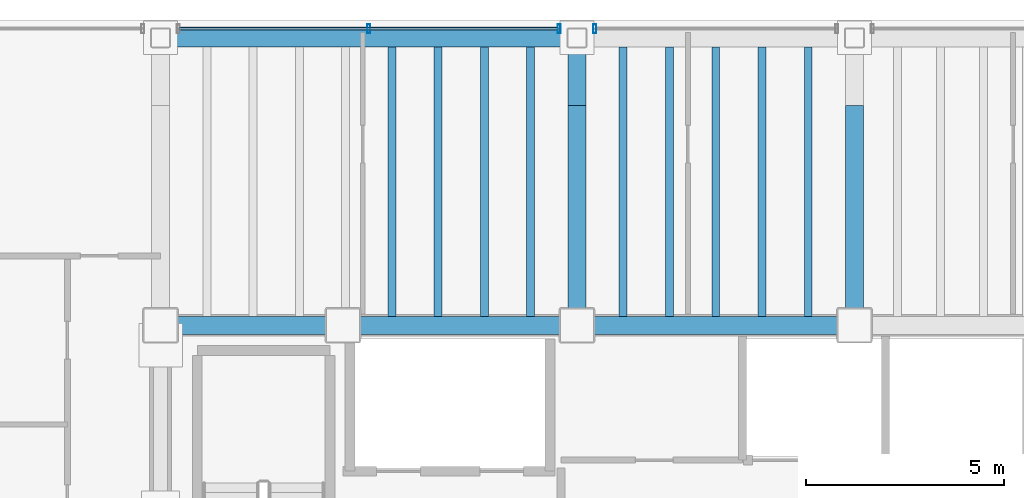
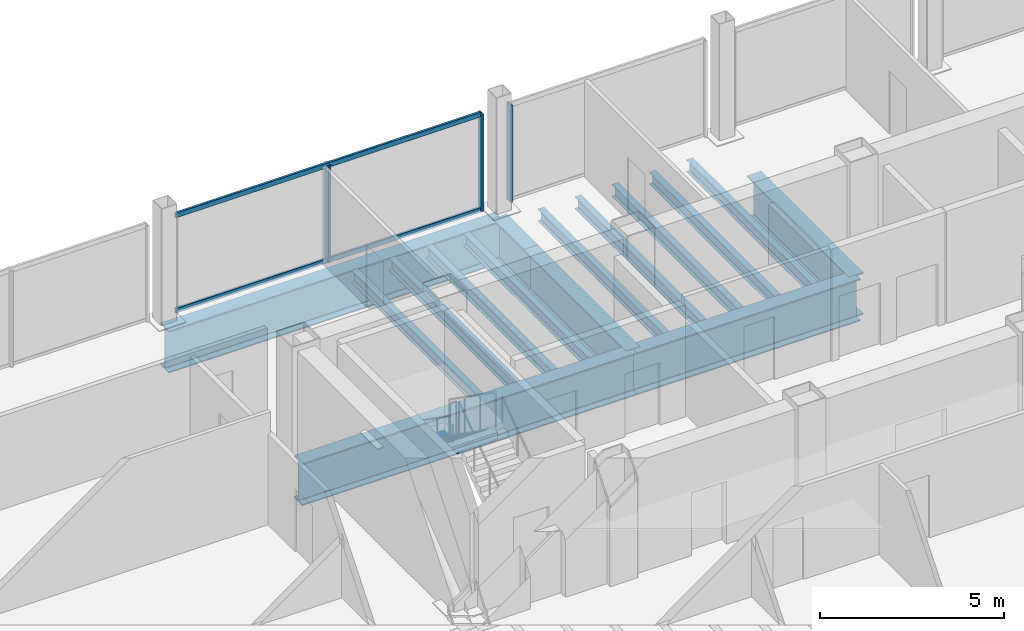
# One storey, part 11 of 24: 15 beams, 5 members, 2 elements without a shape of their own.
"""IFC4 building model written with IfcOpenShell, lengths in metres."""

import ifcopenshell
import ifcopenshell.guid

model = None  # the IFC model being written
_history = None  # IfcOwnerHistory: only IFC2X3 demands one
_inside = {}  # id of a spatial element -> (the spatial element, [elements in it])
_under = {}  # id of a project, library or spatial element -> (it, [spatial elements below it])
_declared = {}  # id of a project -> (the project, [libraries it declares])
_typed = {}  # id of a type object -> (the type object, [elements of that type])
_made_of = {}  # id of a material, layer set ... -> (it, [elements and type objects made of it])


def new_model(schema):
    """Start an empty IFC model of exactly this schema.

    Asked for "IFC4X3", IfcOpenShell would pick the latest addendum, in which some entities
    have other attributes; the version numbers below select the first issue.
    IFC2X3 requires an IfcOwnerHistory on every rooted entity: one is made here for all.
    """
    global model, _history
    if schema == "IFC4X3":
        model = ifcopenshell.file(schema_version=(4, 3, 0, 0))
    else:
        model = ifcopenshell.file(schema=schema)
    _inside.clear()
    _under.clear()
    _declared.clear()
    _typed.clear()
    _made_of.clear()
    _history = None
    if model.schema == "IFC2X3":
        org = make("IfcOrganization", Name="unknown")
        user = make(
            "IfcPersonAndOrganization",
            ThePerson=make("IfcPerson", FamilyName="unknown"),
            TheOrganization=org,
        )
        app = make(
            "IfcApplication",
            ApplicationDeveloper=org,
            Version="unknown",
            ApplicationFullName="unknown",
            ApplicationIdentifier="unknown",
        )
        _history = make(
            "IfcOwnerHistory",
            OwningUser=user,
            OwningApplication=app,
            ChangeAction="ADDED",
            CreationDate=0,
        )
    return model


def make(cls, **values):
    """One entity of the class cls with the attributes given. An attribute that is None is left unset."""
    return model.create_entity(
        cls, **{name: value for name, value in values.items() if value is not None}
    )


def rooted(cls, **values):
    """An entity with a GlobalId (a new one), such as an element, a storey or a relation."""
    return make(cls, GlobalId=ifcopenshell.guid.new(), OwnerHistory=_history, **values)


def si_unit(unit_type, name, prefix=None):
    """IfcSIUnit, for example si_unit("LENGTHUNIT", "METRE", prefix="MILLI")."""
    return make("IfcSIUnit", UnitType=unit_type, Prefix=prefix, Name=name)


def assignment(units):
    """IfcUnitAssignment: the units of a project."""
    return None if units is None else make("IfcUnitAssignment", Units=units)


def point(xyz):
    """IfcCartesianPoint."""
    return None if xyz is None else make("IfcCartesianPoint", Coordinates=xyz)


def direction(xyz):
    """IfcDirection."""
    return None if xyz is None else make("IfcDirection", DirectionRatios=xyz)


def frame(location, z_axis=None, x_axis=None):
    """IfcAxis2Placement3D, a coordinate frame: its origin and axes. An axis left out is left unset."""
    return make(
        "IfcAxis2Placement3D",
        Location=point(location),
        Axis=direction(z_axis),
        RefDirection=direction(x_axis),
    )


def frame_2d(location, x_axis=None):
    """IfcAxis2Placement2D, a coordinate frame in the plane: its origin and x axis."""
    return make(
        "IfcAxis2Placement2D", Location=point(location), RefDirection=direction(x_axis)
    )


def origin():
    """The frame at (0, 0, 0) with its axes left unset."""
    return frame((0.0, 0.0, 0.0))


def origin_2d():
    """The frame at (0, 0) in the plane with its x axis left unset."""
    return frame_2d((0.0, 0.0))


def place(relative_to, where):
    """IfcLocalPlacement: puts the frame where relative to a parent placement (None: the world)."""
    return make(
        "IfcLocalPlacement", PlacementRelTo=relative_to, RelativePlacement=where
    )


def context(
    kind, dimensions, precision=None, world=None, true_north=None, identifier=None
):
    """IfcGeometricRepresentationContext, for example the 3D "Model" context."""
    return make(
        "IfcGeometricRepresentationContext",
        ContextIdentifier=identifier,
        ContextType=kind,
        CoordinateSpaceDimension=dimensions,
        Precision=precision,
        WorldCoordinateSystem=world,
        TrueNorth=true_north,
    )


def subcontext(parent, identifier, kind, view, scale=None):
    """IfcGeometricRepresentationSubContext, for example "Body" below "Model"."""
    return make(
        "IfcGeometricRepresentationSubContext",
        ContextIdentifier=identifier,
        ContextType=kind,
        ParentContext=parent,
        TargetScale=scale,
        TargetView=view,
    )


def project(units=None, contexts=None):
    """IfcProject with its units and contexts."""
    return rooted(
        "IfcProject",
        Name="project",
        RepresentationContexts=contexts,
        UnitsInContext=assignment(units),
    )


def spatial(cls, under=None, at=None, **own):
    """A site, building, storey or space (cls), placed at a placement, below another one or the project."""
    s = rooted(cls, ObjectPlacement=at, **own)
    if under is not None:
        _under.setdefault(under.id(), (under, []))[1].append(s)
    return s


def profile(cls, at=None, kind="AREA", **sizes):
    """A parametric profile (cls). Its sizes go by their IFC names, for example OverallWidth=200.0."""
    return make(cls, ProfileType=kind, Position=at, **sizes)


def hollow_rectangle(**sizes):
    """IfcRectangleHollowProfileDef."""
    return profile("IfcRectangleHollowProfileDef", **sizes)


def i_section(**sizes):
    """IfcIShapeProfileDef."""
    return profile("IfcIShapeProfileDef", **sizes)


def extrude(swept, where, along, depth):
    """IfcExtrudedAreaSolid: the profile swept, set in the frame where, extruded along a direction by depth."""
    return make(
        "IfcExtrudedAreaSolid",
        SweptArea=swept,
        Position=where,
        ExtrudedDirection=direction(along),
        Depth=depth,
    )


def shape(context_of_items, identifier, shape_type, items):
    """IfcShapeRepresentation: the items that make up one representation, for example the "Body"."""
    return make(
        "IfcShapeRepresentation",
        ContextOfItems=context_of_items,
        RepresentationIdentifier=identifier,
        RepresentationType=shape_type,
        Items=items,
    )


def material(Name=None, Category=None):
    """IfcMaterial."""
    return make("IfcMaterial", Name=Name, Category=Category)


def material_profile(
    of_material, cross_section, Name=None, Category=None, Priority=None
):
    """IfcMaterialProfile: a cross section and its material."""
    return make(
        "IfcMaterialProfile",
        Name=Name,
        Material=of_material,
        Profile=cross_section,
        Priority=Priority,
        Category=Category,
    )


def profile_set(profiles, Name=None, composite=None):
    """IfcMaterialProfileSet."""
    return make(
        "IfcMaterialProfileSet",
        Name=Name,
        MaterialProfiles=profiles,
        CompositeProfile=composite,
    )


def made_of(thing, what):
    """Note that an element or type object is made of a material, layer set ...; save() writes the relation."""
    if what is not None:
        _made_of.setdefault(what.id(), (what, []))[1].append(thing)
    return thing


def type_object(cls, material=None, **own):
    """A type object (cls), such as IfcWallType, which elements share."""
    return made_of(rooted(cls, **own), material)


def element(
    cls,
    number,
    at=None,
    inside=None,
    cuts=None,
    type_object=None,
    material=None,
    context=None,
    identifier="Body",
    shape_type=None,
    held_by="IfcProductDefinitionShape",
    body=None,
    shapes=None,
    **own,
):
    """One element of the class cls, such as IfcWall. Its Tag is "e" and its number.

    at: its placement. inside: the storey or other place that contains it. cuts: it is an
    opening in that element (IfcRelVoidsElement). A single representation is given by context,
    identifier, shape_type and body (its items); several are given by shapes. held_by: the class
    of the entity that holds the representations. save() writes the other relations.
    """
    e = rooted(cls, Tag="e%d" % number, ObjectPlacement=at, **own)
    if body is not None:
        shapes = [shape(context, identifier, shape_type, body)]
    if shapes is not None:
        e.Representation = make(held_by, Representations=shapes)
    if inside is not None:
        _inside.setdefault(inside.id(), (inside, []))[1].append(e)
    if cuts is not None:
        rooted(
            "IfcRelVoidsElement", RelatingBuildingElement=cuts, RelatedOpeningElement=e
        )
    if type_object is not None:
        _typed.setdefault(type_object.id(), (type_object, []))[1].append(e)
    return made_of(e, material)


def aggregate(whole, parts):
    """IfcRelAggregates: a whole, such as a stair, and the parts it consists of."""
    return rooted("IfcRelAggregates", RelatingObject=whole, RelatedObjects=parts)


def save(model, path):
    """Write the relations noted so far, then the file.

    IfcRelAggregates (storeys below a building ...), IfcRelContainedInSpatialStructure (elements
    in a storey), IfcRelDefinesByType, IfcRelAssociatesMaterial and IfcRelDeclares: one each for
    every whole, place, type object, material and project.
    """
    for whole, parts in _under.values():
        aggregate(whole, parts)
    for where, things in _inside.values():
        rooted(
            "IfcRelContainedInSpatialStructure",
            RelatedElements=things,
            RelatingStructure=where,
        )
    for kind, things in _typed.values():
        rooted("IfcRelDefinesByType", RelatedObjects=things, RelatingType=kind)
    for what, things in _made_of.values():
        rooted("IfcRelAssociatesMaterial", RelatedObjects=things, RelatingMaterial=what)
    for by, libraries in _declared.values():
        rooted("IfcRelDeclares", RelatingContext=by, RelatedDefinitions=libraries)
    model.write(path)


model = new_model("IFC4")

# Units and contexts
model_context = context("Model", 3, precision=1e-05, world=origin(), true_north=direction((0.0, 1.0)))
body_context = subcontext(model_context, "Body", "Model", "MODEL_VIEW")
ifc_project = project(units=[si_unit("LENGTHUNIT", "METRE"), si_unit("AREAUNIT", "SQUARE_METRE"), si_unit("VOLUMEUNIT", "CUBIC_METRE"), si_unit("PLANEANGLEUNIT", "RADIAN"), si_unit("MASSUNIT", "GRAM", prefix="KILO")], contexts=[model_context])

# Site, building, storey
site_placement = place(None, origin())
site = spatial("IfcSite", under=ifc_project, at=site_placement, CompositionType="ELEMENT")
building_placement = place(site_placement, origin())
building = spatial("IfcBuilding", under=site, at=building_placement, Name="Noeulbin Bourse Tower", CompositionType="ELEMENT")
storey_placement = place(building_placement, frame((0.0, 0.0, 142.199951171875)))
storey = spatial("IfcBuildingStorey", under=building, at=storey_placement, Name="L35", CompositionType="ELEMENT", Elevation=142.199951171875)

# Beams
ifc_material_1 = material(Name="Steel S355", Category="steel")
ifc_material_profile_1 = material_profile(ifc_material_1, i_section(OverallWidth=0.199951171875, OverallDepth=0.39990234375, WebThickness=0.008056640625, FlangeThickness=0.012939453125, FilletRadius=0.01611328125, at=origin_2d()), Name="H-400x200x8x13", Category="LoadBearing")
ifc_profile_set_1 = profile_set([ifc_material_profile_1], Name="Steel S355")
beam_type_1 = type_object("IfcBeamType", Name="BM-SEC-400", PredefinedType="BEAM", material=ifc_profile_set_1)
for number, where, z_axis, x_axis, name in (
    (1, (19.333251953125, 38.52490234375, -0.43994140625), (0.0, 1.0, 0.0), (-1.0, 0.0, 0.0), "Tower Composite Joist L35-15"),
    (2, (20.5, 38.52490234375, -0.43994140625), (0.0, 1.0, 0.0), (-1.0, 0.0, 0.0), "Tower Composite Joist L35-18"),
    (3, (21.666748046875, 38.52490234375, -0.43994140625), (0.0, 1.0, 0.0), (-1.0, 0.0, 0.0), "Tower Composite Joist L35-21"),
    (4, (22.833251953125, 38.52490234375, -0.43994140625), (0.0, 1.0, 0.0), (-1.0, 0.0, 0.0), "Tower Composite Joist L35-24"),
    (5, (25.166748046875, 38.52490234375, -0.43994140625), (0.0, 1.0, 0.0), (-1.0, 0.0, 0.0), "Tower Composite Joist L35-27"),
    (6, (26.333251953125, 38.52490234375, -0.43994140625), (0.0, 1.0, 0.0), (-1.0, 0.0, 0.0), "Tower Composite Joist L35-30"),
    (7, (27.5, 38.52490234375, -0.43994140625), (0.0, 1.0, 0.0), (-1.0, 0.0, 0.0), "Tower Composite Joist L35-33"),
    (8, (28.666748046875, 38.52490234375, -0.43994140625), (0.0, 1.0, 0.0), (-1.0, 0.0, 0.0), "Tower Composite Joist L35-36"),
    (9, (29.833251953125, 38.52490234375, -0.43994140625), (0.0, 1.0, 0.0), (-1.0, 0.0, 0.0), "Tower Composite Joist L35-39"),
):
    element("IfcBeam", number, at=place(storey_placement, frame(where, z_axis=z_axis, x_axis=x_axis)), inside=storey, type_object=beam_type_1, Name=name, PredefinedType="BEAM", context=body_context, shape_type="SweptSolid", body=[
        extrude(i_section(OverallWidth=0.199951171875, OverallDepth=0.39990234375, WebThickness=0.008056640625, FlangeThickness=0.012939453125, FilletRadius=0.01611328125, at=origin_2d()), origin(), (0.0, 0.0, 1.0), 6.800048828125),
    ])
ifc_material_2 = material(Name="Steel S460", Category="steel")
ifc_material_profile_2 = material_profile(ifc_material_2, i_section(OverallWidth=0.449951171875, OverallDepth=1.39990234375, WebThickness=0.02392578125, FlangeThickness=0.0400390625, FilletRadius=0.02392578125, at=origin_2d()), Name="PG-1400x450x24x40", Category="LoadBearing")
ifc_profile_set_2 = profile_set([ifc_material_profile_2], Name="Steel S460")
beam_type_2 = type_object("IfcBeamType", Name="BM-TRF-1400", PredefinedType="USERDEFINED", material=ifc_profile_set_2)
beam_1_placement = place(storey_placement, frame((13.5, 38.300048828125, -0.93994140625), z_axis=(1.0, 0.0, 0.0), x_axis=(0.0, 1.0, 0.0)))
element("IfcBeam", 10, at=beam_1_placement, inside=storey, type_object=beam_type_2, Name="Tower Primary Girder EW L35-3.1", ObjectType="GIRDER", PredefinedType="USERDEFINED", context=body_context, shape_type="SweptSolid", body=[
    extrude(i_section(OverallWidth=0.449951171875, OverallDepth=1.39990234375, WebThickness=0.02392578125, FlangeThickness=0.0400390625, FilletRadius=0.02392578125, at=origin_2d()), origin(), (0.0, 0.0, 1.0), 10.5),
])
beam_2_placement = place(storey_placement, frame((24.0, 38.300048828125, -0.93994140625), z_axis=(1.0, 0.0, 0.0), x_axis=(0.0, 1.0, 0.0)))
element("IfcBeam", 11, at=beam_2_placement, inside=storey, type_object=beam_type_2, Name="Tower Primary Girder EW L35-3.2", ObjectType="GIRDER", PredefinedType="USERDEFINED", context=body_context, shape_type="SweptSolid", body=[
    extrude(i_section(OverallWidth=0.449951171875, OverallDepth=1.39990234375, WebThickness=0.02392578125, FlangeThickness=0.0400390625, FilletRadius=0.02392578125, at=origin_2d()), origin(), (0.0, 0.0, 1.0), 7.0),
])
beam_3_placement = place(storey_placement, frame((24.0, 38.300048828125, -0.93994140625), z_axis=(0.0, 1.0, 0.0), x_axis=(-1.0, 0.0, 0.0)))
element("IfcBeam", 12, at=beam_3_placement, inside=storey, type_object=beam_type_2, Name="Tower Primary Girder NS L35-2.4", ObjectType="GIRDER", PredefinedType="USERDEFINED", context=body_context, shape_type="SweptSolid", body=[
    extrude(i_section(OverallWidth=0.449951171875, OverallDepth=1.39990234375, WebThickness=0.02392578125, FlangeThickness=0.0400390625, FilletRadius=0.02392578125, at=origin_2d()), origin(), (0.0, 0.0, 1.0), 5.550048828125),
])
beam_4_placement = place(storey_placement, frame((24.0, 43.85009765625, -0.93994140625), z_axis=(0.0, 1.0, 0.0), x_axis=(-1.0, 0.0, 0.0)))
element("IfcBeam", 13, at=beam_4_placement, inside=storey, type_object=beam_type_2, Name="Tower Primary Girder NS L35-2.5", ObjectType="GIRDER", PredefinedType="USERDEFINED", context=body_context, shape_type="SweptSolid", body=[
    extrude(i_section(OverallWidth=0.449951171875, OverallDepth=1.39990234375, WebThickness=0.02392578125, FlangeThickness=0.0400390625, FilletRadius=0.02392578125, at=origin_2d()), origin(), (0.0, 0.0, 1.0), 1.699951171875),
])
beam_5_placement = place(storey_placement, frame((31.0, 38.300048828125, -0.93994140625), z_axis=(0.0, 1.0, 0.0), x_axis=(-1.0, 0.0, 0.0)))
element("IfcBeam", 14, at=beam_5_placement, inside=storey, type_object=beam_type_2, Name="Tower Primary Girder NS L35-3.4", ObjectType="GIRDER", PredefinedType="USERDEFINED", context=body_context, shape_type="SweptSolid", body=[
    extrude(i_section(OverallWidth=0.449951171875, OverallDepth=1.39990234375, WebThickness=0.02392578125, FlangeThickness=0.0400390625, FilletRadius=0.02392578125, at=origin_2d()), origin(), (0.0, 0.0, 1.0), 5.550048828125),
])
beam_6_placement = place(storey_placement, frame((13.5, 45.550048828125, -0.93994140625), z_axis=(1.0, 0.0, 0.0), x_axis=(0.0, 1.0, 0.0)))
element("IfcBeam", 15, at=beam_6_placement, inside=storey, type_object=beam_type_2, Name="North Spandrel L35-1", ObjectType="GIRDER", PredefinedType="USERDEFINED", context=body_context, shape_type="SweptSolid", body=[
    extrude(i_section(OverallWidth=0.449951171875, OverallDepth=1.39990234375, WebThickness=0.02392578125, FlangeThickness=0.0400390625, FilletRadius=0.02392578125, at=origin_2d()), origin(), (0.0, 0.0, 1.0), 10.5),
])

# Curtain wall, members
ifc_material_3 = material(Name="Dark Tinted Triple Glazing", Category="glass")
curtain_wall_type = type_object("IfcCurtainWallType", Name="CW-SYS-3", PredefinedType="NOTDEFINED", material=ifc_material_3)
curtain_wall_1_placement = place(storey_placement, origin())
curtain_wall_1 = element("IfcCurtainWall", 16, at=curtain_wall_1_placement, inside=storey, type_object=curtain_wall_type, Name="Unitised Curtain Wall CW-L35-N-S2", PredefinedType="NOTDEFINED")
ifc_material_4 = material(Name="Anodised Aluminium 6063-T6", Category="aluminium")
ifc_material_profile_3 = material_profile(ifc_material_4, hollow_rectangle(XDim=0.074951171875, YDim=0.219970703125, WallThickness=0.0048828125, InnerFilletRadius=0.00244140625, OuterFilletRadius=0.0048828125, at=origin_2d()), Name="ALU-MULL-75x220x5", Category="LoadBearing")
ifc_profile_set_3 = profile_set([ifc_material_profile_3], Name="Anodised Aluminium 6063-T6")
member_type_1 = type_object("IfcMemberType", Name="CW-SYS-3-MUL", PredefinedType="MULLION", material=ifc_profile_set_3)
member_1_placement = place(storey_placement, frame((18.75, 45.780029296875, -0.02001953125), z_axis=(0.0, 0.0, 1.0), x_axis=(1.0, 0.0, 0.0)))
member_1 = element("IfcMember", 17, at=member_1_placement, type_object=member_type_1, Name="Curtain Wall Mullion CW-L35-N-S2-M01", PredefinedType="MULLION", context=body_context, shape_type="SweptSolid", body=[
    extrude(hollow_rectangle(XDim=0.074951171875, YDim=0.219970703125, WallThickness=0.0048828125, InnerFilletRadius=0.00244140625, OuterFilletRadius=0.0048828125, at=origin_2d()), origin(), (0.0, 0.0, 1.0), 3.219970703125),
])
member_2_placement = place(storey_placement, frame((23.550048828125, 45.780029296875, -0.02001953125), z_axis=(0.0, 0.0, 1.0), x_axis=(1.0, 0.0, 0.0)))
member_2 = element("IfcMember", 18, at=member_2_placement, type_object=member_type_1, Name="Curtain Wall Mullion CW-L35-N-S2-M02", PredefinedType="MULLION", context=body_context, shape_type="SweptSolid", body=[
    extrude(hollow_rectangle(XDim=0.074951171875, YDim=0.219970703125, WallThickness=0.0048828125, InnerFilletRadius=0.00244140625, OuterFilletRadius=0.0048828125, at=origin_2d()), origin(), (0.0, 0.0, 1.0), 3.219970703125),
])

# Curtain wall, member
curtain_wall_2_placement = place(storey_placement, origin())
curtain_wall_2 = element("IfcCurtainWall", 19, at=curtain_wall_2_placement, inside=storey, type_object=curtain_wall_type, Name="Unitised Curtain Wall CW-L35-N-S3", PredefinedType="NOTDEFINED")
member_3_placement = place(storey_placement, frame((24.449951171875, 45.780029296875, -0.02001953125), z_axis=(0.0, 0.0, 1.0), x_axis=(1.0, 0.0, 0.0)))
member_3 = element("IfcMember", 20, at=member_3_placement, type_object=member_type_1, Name="Curtain Wall Mullion CW-L35-N-S3-M00", PredefinedType="MULLION", context=body_context, shape_type="SweptSolid", body=[
    extrude(hollow_rectangle(XDim=0.074951171875, YDim=0.219970703125, WallThickness=0.0048828125, InnerFilletRadius=0.00244140625, OuterFilletRadius=0.0048828125, at=origin_2d()), origin(), (0.0, 0.0, 1.0), 3.219970703125),
])
aggregate(curtain_wall_2, [member_3])

# Member
ifc_material_profile_4 = material_profile(ifc_material_4, hollow_rectangle(XDim=0.074951171875, YDim=0.159912109375, WallThickness=0.0048828125, InnerFilletRadius=0.00244140625, OuterFilletRadius=0.0048828125, at=origin_2d()), Name="ALU-TRAN-75x160x5", Category="LoadBearing")
ifc_profile_set_4 = profile_set([ifc_material_profile_4], Name="Anodised Aluminium 6063-T6")
member_type_2 = type_object("IfcMemberType", Name="CW-SYS-3-TRN", PredefinedType="USERDEFINED", material=ifc_profile_set_4)
member_4_placement = place(storey_placement, frame((13.9599609375, 45.780029296875, 0.010009765625), z_axis=(1.0, 0.0, 0.0), x_axis=(0.0, 1.0, 0.0)))
member_4 = element("IfcMember", 21, at=member_4_placement, type_object=member_type_2, Name="Curtain Wall Transom CW-L35-N-S2-T00", ObjectType="TRANSOM", PredefinedType="USERDEFINED", context=body_context, shape_type="SweptSolid", body=[
    extrude(hollow_rectangle(XDim=0.074951171875, YDim=0.159912109375, WallThickness=0.0048828125, InnerFilletRadius=0.00244140625, OuterFilletRadius=0.0048828125, at=origin_2d()), origin(), (0.0, 0.0, 1.0), 9.580078125),
])

member_5_placement = place(storey_placement, frame((13.9599609375, 45.780029296875, 3.170166015625), z_axis=(1.0, 0.0, 0.0), x_axis=(0.0, 1.0, 0.0)))
member_5 = element("IfcMember", 22, at=member_5_placement, type_object=member_type_2, Name="Curtain Wall Transom CW-L35-N-S2-T01", ObjectType="TRANSOM", PredefinedType="USERDEFINED", context=body_context, shape_type="SweptSolid", body=[
    extrude(hollow_rectangle(XDim=0.074951171875, YDim=0.159912109375, WallThickness=0.0048828125, InnerFilletRadius=0.00244140625, OuterFilletRadius=0.0048828125, at=origin_2d()), origin(), (0.0, 0.0, 1.0), 9.580078125),
])

aggregate(curtain_wall_1, [member_1, member_2, member_4, member_5])

save(model, "model.ifc")
